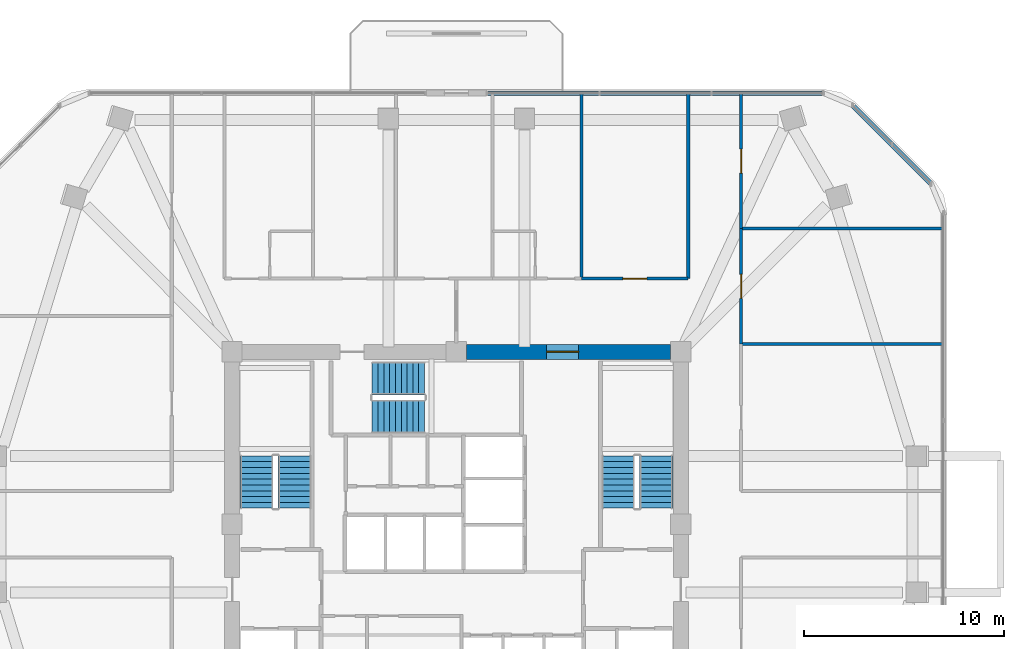
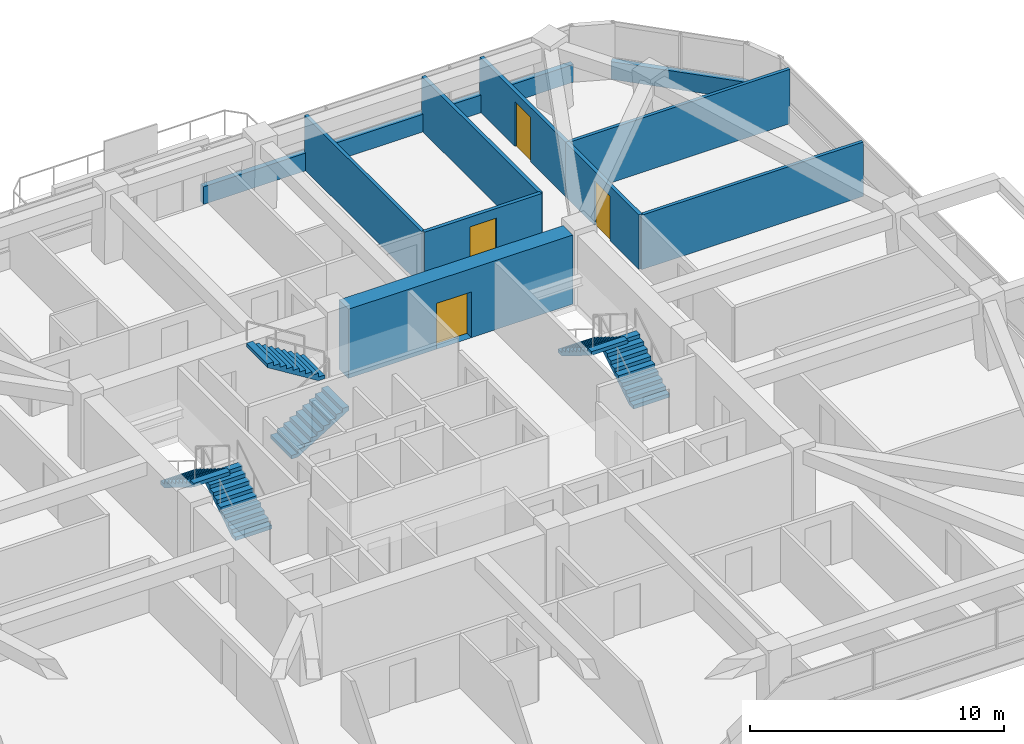
# One storey, part 11 of 13: 10 walls, 6 stair flights, 4 doors, 4 openings, 3 elements without a shape of their own.
"""IFC4 building model written with IfcOpenShell, lengths in metres."""

from ifc_helpers import new_model, si_unit, derived_unit, direction, frame, frame_2d, origin, place, context, subcontext, project, spatial, polyline, rectangle, outline, extrude, material, layer, layer_set, type_object, element, fill, aggregate, save


model = new_model("IFC4")

# Units and contexts
model_context = context("Model", 3, precision=1e-05, world=origin(), true_north=direction((0.0, 1.0)))
body_context = subcontext(model_context, "Body", "Model", "MODEL_VIEW")
ifc_project = project(units=[si_unit("LENGTHUNIT", "METRE"), si_unit("AREAUNIT", "SQUARE_METRE"), si_unit("VOLUMEUNIT", "CUBIC_METRE"), si_unit("PLANEANGLEUNIT", "RADIAN"), si_unit("MASSUNIT", "GRAM", prefix="KILO"), derived_unit("THERMALTRANSMITTANCEUNIT", [(si_unit("POWERUNIT", "WATT"), 1), (si_unit("LENGTHUNIT", "METRE"), -2), (si_unit("THERMODYNAMICTEMPERATUREUNIT", "KELVIN"), -1)])], contexts=[model_context])

# Site, building, storey
site_placement = place(None, origin())
site = spatial("IfcSite", under=ifc_project, at=site_placement, CompositionType="ELEMENT")
building_placement = place(site_placement, origin())
building = spatial("IfcBuilding", under=site, at=building_placement, Name="Koralith Skygarden Medical Center", CompositionType="ELEMENT")
storey_placement = place(building_placement, frame((0.0, 0.0, 117.179931640625)))
storey = spatial("IfcBuildingStorey", under=building, at=storey_placement, Name="L30", CompositionType="ELEMENT", Elevation=117.179931640625)

# Walls
ifc_material_1 = material(Name="Gypsum Board Partition")
ifc_layer_1 = layer(ifc_material_1, 0.14990234375)
ifc_layer_set_1 = layer_set([ifc_layer_1], Name="Gypsum Board Partition")
wall_type_1 = type_object("IfcWallType", Name="Clinical Acoustic Partition 150", PredefinedType="PARTITIONING", material=ifc_layer_set_1)
wall_1_placement = place(storey_placement, frame((43.241943359375, 38.159912109375, 0.0), z_axis=(0.0, 0.0, 1.0), x_axis=(0.0, 1.0, 0.0)))
element("IfcWall", 1, at=wall_1_placement, inside=storey, type_object=wall_type_1, Name="L30 Clinical Acoustic Partition 150 W-PART-L30-N-04", PredefinedType="PARTITIONING", context=body_context, shape_type="SweptSolid", body=[
    extrude(rectangle(XDim=9.232177734375, YDim=0.14990234375, at=frame_2d((4.6162109375, 0.0))), origin(), (0.0, 0.0, 1.0), 2.610107421875),
])
for number, where, z_axis, x_axis, name in (
    (2, (51.2099609375, 34.889892578125, 0.0), (0.0, 0.0, 1.0), (1.0, 0.0, 0.0), "L30 Clinical Acoustic Partition 150 W-PART-L30-EN-01"),
    (3, (51.2099609375, 40.64892578125, 0.0), (0.0, 0.0, 1.0), (1.0, 0.0, 0.0), "L30 Clinical Acoustic Partition 150 W-PART-L30-EN-02"),
):
    element("IfcWall", number, at=place(storey_placement, frame(where, z_axis=z_axis, x_axis=x_axis)), inside=storey, type_object=wall_type_1, Name=name, PredefinedType="PARTITIONING", context=body_context, shape_type="SweptSolid", body=[
        extrude(rectangle(XDim=10.072021484375, YDim=0.14990234375, at=frame_2d((5.0361328125, 0.0))), origin(), (0.0, 0.0, 1.0), 2.610107421875),
    ])
ifc_layer_2 = layer(ifc_material_1, 0.1650390625)
ifc_layer_set_2 = layer_set([ifc_layer_2], Name="Gypsum Board Partition")
wall_type_2 = type_object("IfcWallType", Name="Clinical Corridor Partition 165", PredefinedType="PARTITIONING", material=ifc_layer_set_2)
wall_2_placement = place(storey_placement, frame((48.570068359375, 38.159912109375, 0.0), z_axis=(0.0, 0.0, 1.0), x_axis=(0.0, 1.0, 0.0)))
element("IfcWall", 4, at=wall_2_placement, inside=storey, type_object=wall_type_2, Name="L30 Clinical Corridor Partition 165 W-HCOR-L30-NE", PredefinedType="PARTITIONING", context=body_context, shape_type="SweptSolid", body=[
    extrude(rectangle(XDim=9.232177734375, YDim=0.1650390625, at=frame_2d((4.6162109375, 0.0))), origin(), (0.0, 0.0, 1.0), 2.610107421875),
])

# Wall, opening, door
wall_3_placement = place(storey_placement, frame((43.241943359375, 38.159912109375, 0.0), z_axis=(0.0, 0.0, 1.0), x_axis=(1.0, 0.0, 0.0)))
wall_3 = element("IfcWall", 5, at=wall_3_placement, inside=storey, type_object=wall_type_2, Name="L30 Clinical Corridor Partition 165 W-CORR-L30-N-05", PredefinedType="PARTITIONING", context=body_context, shape_type="SweptSolid", body=[
    extrude(rectangle(XDim=5.328125, YDim=0.1650390625, at=frame_2d((2.6640625, 0.0))), origin(), (0.0, 0.0, 1.0), 2.610107421875),
])
opening_1_placement = place(wall_3_placement, frame((2.06396484375, 0.0, 0.0)))
opening_1 = element("IfcOpeningElement", 6, at=opening_1_placement, cuts=wall_3, Name="Opening D-CLN", PredefinedType="OPENING", context=body_context, shape_type="SweptSolid", body=[
    extrude(rectangle(XDim=1.199951171875, YDim=2.14990234375, at=frame_2d((0.60009765625, 1.074951171875))), frame((0.0, 0.092529296875, 0.0), z_axis=(0.0, -1.0, 0.0), x_axis=(1.0, 0.0, 0.0)), (0.0, 0.0, 1.0), 0.18505859375),
])
ifc_material_2 = material(Name="Aluminium 6063-T6", Category="aluminium")
door_type_1 = type_object("IfcDoorType", Name="Clinical Corridor Door D-CLN 1200", OperationType="NOTDEFINED", PredefinedType="DOOR", material=ifc_material_2)
door_1_placement = place(opening_1_placement, origin())
door_1 = element("IfcDoor", 7, at=door_1_placement, inside=storey, type_object=door_type_1, Name="L30 Patient Rest Lounge 05 Door", OperationType="SINGLE_SWING_RIGHT", OverallHeight=2.14990234375, OverallWidth=1.199951171875, PredefinedType="DOOR", context=body_context, shape_type="SweptSolid", body=[
    extrude(rectangle(XDim=1.199951171875, YDim=2.14990234375, at=frame_2d((0.60009765625, 1.074951171875))), frame((0.0, 0.02490234375, 0.0), z_axis=(0.0, -1.0, 0.0), x_axis=(1.0, 0.0, 0.0)), (0.0, 0.0, 1.0), 0.050048828125),
])
fill(opening_1, door_1)

wall_4_placement = place(storey_placement, frame((51.2099609375, 34.889892578125, 0.0), z_axis=(0.0, 0.0, 1.0), x_axis=(0.0, 1.0, 0.0)))
wall_4 = element("IfcWall", 8, at=wall_4_placement, inside=storey, type_object=wall_type_2, Name="L30 Clinical Corridor Partition 165 W-CORR-L30-EN-02", PredefinedType="PARTITIONING", context=body_context, shape_type="SweptSolid", body=[
    extrude(rectangle(XDim=5.759033203125, YDim=0.1650390625, at=frame_2d((2.87939453125, 0.0))), origin(), (0.0, 0.0, 1.0), 2.610107421875),
])
opening_2_placement = place(wall_4_placement, frame((2.280029296875, 0.0, 0.0)))
opening_2 = element("IfcOpeningElement", 9, at=opening_2_placement, cuts=wall_4, Name="Opening D-CLN", PredefinedType="OPENING", context=body_context, shape_type="SweptSolid", body=[
    extrude(rectangle(XDim=1.199951171875, YDim=2.14990234375, at=frame_2d((0.60009765625, 1.074951171875))), frame((0.0, 0.092529296875, 0.0), z_axis=(0.0, -1.0, 0.0), x_axis=(1.0, 0.0, 0.0)), (0.0, 0.0, 1.0), 0.18505859375),
])
door_2_placement = place(opening_2_placement, origin())
door_2 = element("IfcDoor", 10, at=door_2_placement, inside=storey, type_object=door_type_1, Name="L30 Cardiopulmonary Rehab Gym Hall 18 Door", OperationType="SINGLE_SWING_LEFT", OverallHeight=2.14990234375, OverallWidth=1.199951171875, PredefinedType="DOOR", context=body_context, shape_type="SweptSolid", body=[
    extrude(rectangle(XDim=1.199951171875, YDim=2.14990234375, at=frame_2d((0.60009765625, 1.074951171875))), frame((0.0, 0.02490234375, 0.0), z_axis=(0.0, -1.0, 0.0), x_axis=(1.0, 0.0, 0.0)), (0.0, 0.0, 1.0), 0.050048828125),
])
fill(opening_2, door_2)

wall_5_placement = place(storey_placement, frame((51.2099609375, 40.64892578125, 0.0), z_axis=(0.0, 0.0, 1.0), x_axis=(0.0, 1.0, 0.0)))
wall_5 = element("IfcWall", 11, at=wall_5_placement, inside=storey, type_object=wall_type_2, Name="L30 Clinical Corridor Partition 165 W-CORR-L30-EN-03", PredefinedType="PARTITIONING", context=body_context, shape_type="SweptSolid", body=[
    extrude(rectangle(XDim=6.7431640625, YDim=0.1650390625, at=frame_2d((3.37158203125, 0.0))), origin(), (0.0, 0.0, 1.0), 2.610107421875),
])
opening_3_placement = place(wall_5_placement, frame((2.77197265625, 0.0, 0.0)))
opening_3 = element("IfcOpeningElement", 12, at=opening_3_placement, cuts=wall_5, Name="Opening D-CLN", PredefinedType="OPENING", context=body_context, shape_type="SweptSolid", body=[
    extrude(rectangle(XDim=1.199951171875, YDim=2.14990234375, at=frame_2d((0.60009765625, 1.074951171875))), frame((0.0, 0.092529296875, 0.0), z_axis=(0.0, -1.0, 0.0), x_axis=(1.0, 0.0, 0.0)), (0.0, 0.0, 1.0), 0.18505859375),
])
door_3_placement = place(opening_3_placement, origin())
door_3 = element("IfcDoor", 13, at=door_3_placement, inside=storey, type_object=door_type_1, Name="L30 Patient Rest Lounge 19 Door", OperationType="SINGLE_SWING_RIGHT", OverallHeight=2.14990234375, OverallWidth=1.199951171875, PredefinedType="DOOR", context=body_context, shape_type="SweptSolid", body=[
    extrude(rectangle(XDim=1.199951171875, YDim=2.14990234375, at=frame_2d((0.60009765625, 1.074951171875))), frame((0.0, 0.02490234375, 0.0), z_axis=(0.0, -1.0, 0.0), x_axis=(1.0, 0.0, 0.0)), (0.0, 0.0, 1.0), 0.050048828125),
])
fill(opening_3, door_3)

# Walls
ifc_material_3 = material(Name="Warm Oolitic Limestone Cladding", Category="masonry")
ifc_layer_3 = layer(ifc_material_3, 0.239990234375)
ifc_layer_set_3 = layer_set([ifc_layer_3], Name="Warm Oolitic Limestone Cladding")
wall_type_3 = type_object("IfcWallType", Name="Limestone Spandrel Sill Backup Wall 240", PredefinedType="SOLIDWALL", material=ifc_layer_set_3)
wall_6_placement = place(storey_placement, frame((60.699951171875, 42.887939453125, 0.0), z_axis=(0.0, 0.0, 1.0), x_axis=(-0.707084777957, 0.707128783731, 0.0)))
element("IfcWall", 14, at=wall_6_placement, inside=storey, type_object=wall_type_3, Name="L30 Sill Spandrel NE", PredefinedType="SOLIDWALL", context=body_context, shape_type="SweptSolid", body=[
    extrude(rectangle(XDim=5.5478515625, YDim=0.239990234375, at=frame_2d((2.77392578125, 0.0))), origin(), (0.0, 0.0, 1.0), 0.85009765625),
])
wall_7_placement = place(storey_placement, frame((55.325927734375, 47.412109375, 0.0), z_axis=(0.0, 0.0, 1.0), x_axis=(-1.0, 0.0, 0.0)))
element("IfcWall", 15, at=wall_7_placement, inside=storey, type_object=wall_type_3, Name="L30 Sill Spandrel N-L", PredefinedType="SOLIDWALL", context=body_context, shape_type="SweptSolid", body=[
    extrude(rectangle(XDim=16.785888671875, YDim=0.239990234375, at=frame_2d((8.39306640625, 0.0))), origin(), (0.0, 0.0, 1.0), 0.85009765625),
])

# Wall, opening, door
ifc_material_4 = material(Name="Concrete C70/85", Category="concrete")
ifc_layer_4 = layer(ifc_material_4, 0.75)
ifc_layer_set_4 = layer_set([ifc_layer_4], Name="Concrete C70/85")
wall_type_4 = type_object("IfcWallType", Name="Mid Core Shear Wall 750", PredefinedType="SHEAR", material=ifc_layer_set_4)
wall_8_placement = place(storey_placement, frame((47.695068359375, 34.5, 0.0), z_axis=(0.0, 0.0, 1.0), x_axis=(-1.0, 0.0, 0.0)))
wall_8 = element("IfcWall", 16, at=wall_8_placement, inside=storey, type_object=wall_type_4, Name="L30 Core Shear Wall Segment 5", PredefinedType="SHEAR", context=body_context, shape_type="SweptSolid", body=[
    extrude(rectangle(XDim=10.190185546875, YDim=0.75, at=frame_2d((5.09521484375, 0.0))), origin(), (0.0, 0.0, 1.0), 3.320068359375),
])
opening_4_placement = place(wall_8_placement, frame((4.594970703125, 0.0, 0.0)))
opening_4 = element("IfcOpeningElement", 17, at=opening_4_placement, cuts=wall_8, Name="Opening D-DBL", PredefinedType="OPENING", context=body_context, shape_type="SweptSolid", body=[
    extrude(rectangle(XDim=1.60009765625, YDim=2.199951171875, at=frame_2d((0.800048828125, 1.10009765625))), frame((0.0, 0.385009765625, 0.0), z_axis=(0.0, -1.0, 0.0), x_axis=(1.0, 0.0, 0.0)), (0.0, 0.0, 1.0), 0.77001953125),
])
door_type_2 = type_object("IfcDoorType", Name="Double Clinical Suite Door D-DBL 1600", OperationType="NOTDEFINED", PredefinedType="DOOR", material=ifc_material_2)
door_4_placement = place(opening_4_placement, frame((1.60009765625, 0.0, 0.0), z_axis=(0.0, 0.0, 1.0), x_axis=(-1.0, 0.0, 0.0)))
door_4 = element("IfcDoor", 18, at=door_4_placement, inside=storey, type_object=door_type_2, Name="L30 North-East Corridor to Elevator Lobby Door", OperationType="DOUBLE_DOOR_SINGLE_SWING", OverallHeight=2.199951171875, OverallWidth=1.60009765625, PredefinedType="DOOR", context=body_context, shape_type="SweptSolid", body=[
    extrude(rectangle(XDim=1.60009765625, YDim=2.199951171875, at=frame_2d((0.800048828125, 1.10009765625))), frame((0.0, 0.02490234375, 0.0), z_axis=(0.0, -1.0, 0.0), x_axis=(1.0, 0.0, 0.0)), (0.0, 0.0, 1.0), 0.050048828125),
])
fill(opening_4, door_4)

# Stair, stair flights
ifc_material_5 = material(Name="Concrete C45/55", Category="concrete")
stair_type = type_object("IfcStairType", Name="Core Exit Dogleg Concrete Stair", PredefinedType="HALF_TURN_STAIR", material=ifc_material_5)
stair_1_placement = place(storey_placement, origin())
stair_1 = element("IfcStair", 19, at=stair_1_placement, inside=storey, type_object=stair_type, Name="L30 Smokeproof Exit Stair ST1", PredefinedType="HALF_TURN_STAIR")
stair_flight_type = type_object("IfcStairFlightType", Name="Core Exit Concrete Stair Flight 1650", PredefinedType="STRAIGHT", material=ifc_material_5)
stair_flight_1_placement = place(storey_placement, frame((28.925048828125, 26.699951171875, 0.0), z_axis=(0.0, 0.0, 1.0), x_axis=(0.0, 1.0, 0.0)))
stair_flight_1 = element("IfcStairFlight", 20, at=stair_flight_1_placement, type_object=stair_flight_type, Name="ST1 flight 1", NumberOfRisers=10, NumberOfTreads=9, PredefinedType="STRAIGHT", RiserHeight=0.18, TreadLength=0.29, context=body_context, shape_type="SweptSolid", body=[
    extrude(outline(polyline([(0.0, 0.0), (0.0, 0.179931640625), (0.2900390625, 0.179931640625), (0.2900390625, 0.360107421875), (0.580078125, 0.360107421875), (0.580078125, 0.5400390625), (0.8701171875, 0.5400390625), (0.8701171875, 0.719970703125), (1.159912109375, 0.719970703125), (1.159912109375, 0.89990234375), (1.449951171875, 0.89990234375), (1.449951171875, 1.080078125), (1.739990234375, 1.080078125), (1.739990234375, 1.260009765625), (2.030029296875, 1.260009765625), (2.030029296875, 1.43994140625), (2.320068359375, 1.43994140625), (2.320068359375, 1.6201171875), (2.610107421875, 1.6201171875), (2.610107421875, 1.800048828125), (2.610107421875, 1.443603515625), (0.2841796875, 0.0), (0.0, 0.0)])), frame((0.0, 0.824951171875, 0.0), z_axis=(0.0, -1.0, 0.0), x_axis=(1.0, 0.0, 0.0)), (0.0, 0.0, 1.0), 1.64990234375),
])
stair_flight_2_placement = place(storey_placement, frame((27.02490234375, 29.31005859375, 1.800048828125), z_axis=(0.0, 0.0, 1.0), x_axis=(0.0, -1.0, 0.0)))
stair_flight_2 = element("IfcStairFlight", 21, at=stair_flight_2_placement, type_object=stair_flight_type, Name="ST1 flight 2", NumberOfRisers=10, NumberOfTreads=9, PredefinedType="STRAIGHT", RiserHeight=0.18, TreadLength=0.29, context=body_context, shape_type="SweptSolid", body=[
    extrude(outline(polyline([(0.0, 0.0), (0.0, 0.179931640625), (0.2900390625, 0.179931640625), (0.2900390625, 0.360107421875), (0.580078125, 0.360107421875), (0.580078125, 0.5400390625), (0.8701171875, 0.5400390625), (0.8701171875, 0.719970703125), (1.159912109375, 0.719970703125), (1.159912109375, 0.89990234375), (1.449951171875, 0.89990234375), (1.449951171875, 1.080078125), (1.739990234375, 1.080078125), (1.739990234375, 1.260009765625), (2.030029296875, 1.260009765625), (2.030029296875, 1.43994140625), (2.320068359375, 1.43994140625), (2.320068359375, 1.6201171875), (2.610107421875, 1.6201171875), (2.610107421875, 1.800048828125), (2.610107421875, 1.443603515625), (0.2841796875, 0.0), (0.0, 0.0)])), frame((0.0, 0.824951171875, 0.0), z_axis=(0.0, -1.0, 0.0), x_axis=(1.0, 0.0, 0.0)), (0.0, 0.0, 1.0), 1.64990234375),
])
aggregate(stair_1, [stair_flight_1, stair_flight_2])

stair_2_placement = place(storey_placement, origin())
stair_2 = element("IfcStair", 22, at=stair_2_placement, inside=storey, type_object=stair_type, Name="L30 Smokeproof Exit Stair ST2", PredefinedType="HALF_TURN_STAIR")
stair_flight_3_placement = place(storey_placement, frame((46.97509765625, 26.699951171875, 0.0), z_axis=(0.0, 0.0, 1.0), x_axis=(0.0, 1.0, 0.0)))
stair_flight_3 = element("IfcStairFlight", 23, at=stair_flight_3_placement, type_object=stair_flight_type, Name="ST2 flight 1", NumberOfRisers=10, NumberOfTreads=9, PredefinedType="STRAIGHT", RiserHeight=0.18, TreadLength=0.29, context=body_context, shape_type="SweptSolid", body=[
    extrude(outline(polyline([(0.0, 0.0), (0.0, 0.179931640625), (0.2900390625, 0.179931640625), (0.2900390625, 0.360107421875), (0.580078125, 0.360107421875), (0.580078125, 0.5400390625), (0.8701171875, 0.5400390625), (0.8701171875, 0.719970703125), (1.159912109375, 0.719970703125), (1.159912109375, 0.89990234375), (1.449951171875, 0.89990234375), (1.449951171875, 1.080078125), (1.739990234375, 1.080078125), (1.739990234375, 1.260009765625), (2.030029296875, 1.260009765625), (2.030029296875, 1.43994140625), (2.320068359375, 1.43994140625), (2.320068359375, 1.6201171875), (2.610107421875, 1.6201171875), (2.610107421875, 1.800048828125), (2.610107421875, 1.443603515625), (0.2841796875, 0.0), (0.0, 0.0)])), frame((0.0, 0.824951171875, 0.0), z_axis=(0.0, -1.0, 0.0), x_axis=(1.0, 0.0, 0.0)), (0.0, 0.0, 1.0), 1.64990234375),
])
stair_flight_4_placement = place(storey_placement, frame((45.074951171875, 29.31005859375, 1.800048828125), z_axis=(0.0, 0.0, 1.0), x_axis=(0.0, -1.0, 0.0)))
stair_flight_4 = element("IfcStairFlight", 24, at=stair_flight_4_placement, type_object=stair_flight_type, Name="ST2 flight 2", NumberOfRisers=10, NumberOfTreads=9, PredefinedType="STRAIGHT", RiserHeight=0.18, TreadLength=0.29, context=body_context, shape_type="SweptSolid", body=[
    extrude(outline(polyline([(0.0, 0.0), (0.0, 0.179931640625), (0.2900390625, 0.179931640625), (0.2900390625, 0.360107421875), (0.580078125, 0.360107421875), (0.580078125, 0.5400390625), (0.8701171875, 0.5400390625), (0.8701171875, 0.719970703125), (1.159912109375, 0.719970703125), (1.159912109375, 0.89990234375), (1.449951171875, 0.89990234375), (1.449951171875, 1.080078125), (1.739990234375, 1.080078125), (1.739990234375, 1.260009765625), (2.030029296875, 1.260009765625), (2.030029296875, 1.43994140625), (2.320068359375, 1.43994140625), (2.320068359375, 1.6201171875), (2.610107421875, 1.6201171875), (2.610107421875, 1.800048828125), (2.610107421875, 1.443603515625), (0.2841796875, 0.0), (0.0, 0.0)])), frame((0.0, 0.824951171875, 0.0), z_axis=(0.0, -1.0, 0.0), x_axis=(1.0, 0.0, 0.0)), (0.0, 0.0, 1.0), 1.64990234375),
])
aggregate(stair_2, [stair_flight_3, stair_flight_4])

stair_3_placement = place(storey_placement, origin())
stair_3 = element("IfcStair", 25, at=stair_3_placement, inside=storey, type_object=stair_type, Name="L30 Smokeproof Exit Stair ST3", PredefinedType="HALF_TURN_STAIR")
stair_flight_5_placement = place(storey_placement, frame((32.800048828125, 31.27490234375, 0.0), z_axis=(0.0, 0.0, 1.0), x_axis=(1.0, 0.0, 0.0)))
stair_flight_5 = element("IfcStairFlight", 26, at=stair_flight_5_placement, type_object=stair_flight_type, Name="ST3 flight 1", NumberOfRisers=10, NumberOfTreads=9, PredefinedType="STRAIGHT", RiserHeight=0.18, TreadLength=0.29, context=body_context, shape_type="SweptSolid", body=[
    extrude(outline(polyline([(0.0, 0.0), (0.0, 0.179931640625), (0.2900390625, 0.179931640625), (0.2900390625, 0.360107421875), (0.580078125, 0.360107421875), (0.580078125, 0.5400390625), (0.8701171875, 0.5400390625), (0.8701171875, 0.719970703125), (1.159912109375, 0.719970703125), (1.159912109375, 0.89990234375), (1.449951171875, 0.89990234375), (1.449951171875, 1.080078125), (1.739990234375, 1.080078125), (1.739990234375, 1.260009765625), (2.030029296875, 1.260009765625), (2.030029296875, 1.43994140625), (2.320068359375, 1.43994140625), (2.320068359375, 1.6201171875), (2.610107421875, 1.6201171875), (2.610107421875, 1.800048828125), (2.610107421875, 1.443603515625), (0.2841796875, 0.0), (0.0, 0.0)])), frame((0.0, 0.824951171875, 0.0), z_axis=(0.0, -1.0, 0.0), x_axis=(1.0, 0.0, 0.0)), (0.0, 0.0, 1.0), 1.64990234375),
])
stair_flight_6_placement = place(storey_placement, frame((35.409912109375, 33.175048828125, 1.800048828125), z_axis=(0.0, 0.0, 1.0), x_axis=(-1.0, 0.0, 0.0)))
stair_flight_6 = element("IfcStairFlight", 27, at=stair_flight_6_placement, type_object=stair_flight_type, Name="ST3 flight 2", NumberOfRisers=10, NumberOfTreads=9, PredefinedType="STRAIGHT", RiserHeight=0.18, TreadLength=0.29, context=body_context, shape_type="SweptSolid", body=[
    extrude(outline(polyline([(0.0, 0.0), (0.0, 0.179931640625), (0.2900390625, 0.179931640625), (0.2900390625, 0.360107421875), (0.580078125, 0.360107421875), (0.580078125, 0.5400390625), (0.8701171875, 0.5400390625), (0.8701171875, 0.719970703125), (1.159912109375, 0.719970703125), (1.159912109375, 0.89990234375), (1.449951171875, 0.89990234375), (1.449951171875, 1.080078125), (1.739990234375, 1.080078125), (1.739990234375, 1.260009765625), (2.030029296875, 1.260009765625), (2.030029296875, 1.43994140625), (2.320068359375, 1.43994140625), (2.320068359375, 1.6201171875), (2.610107421875, 1.6201171875), (2.610107421875, 1.800048828125), (2.610107421875, 1.443603515625), (0.2841796875, 0.0), (0.0, 0.0)])), frame((0.0, 0.824951171875, 0.0), z_axis=(0.0, -1.0, 0.0), x_axis=(1.0, 0.0, 0.0)), (0.0, 0.0, 1.0), 1.64990234375),
])
aggregate(stair_3, [stair_flight_5, stair_flight_6])

save(model, "model.ifc")
